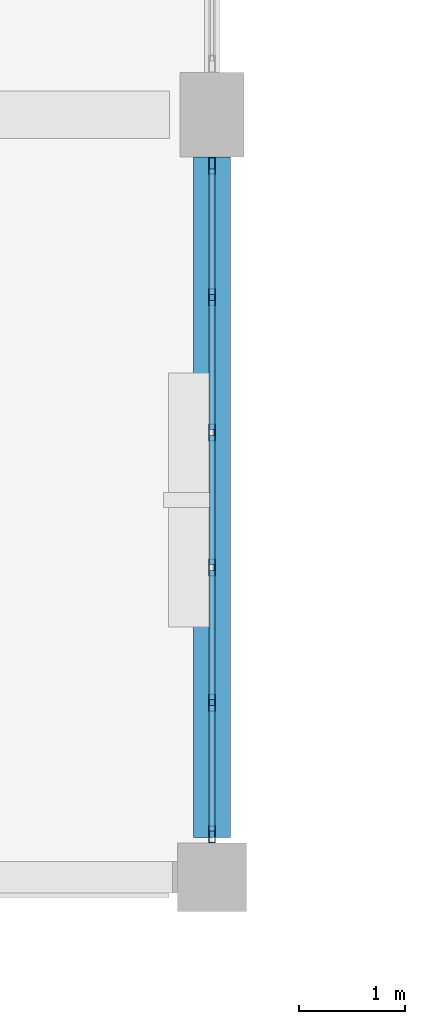
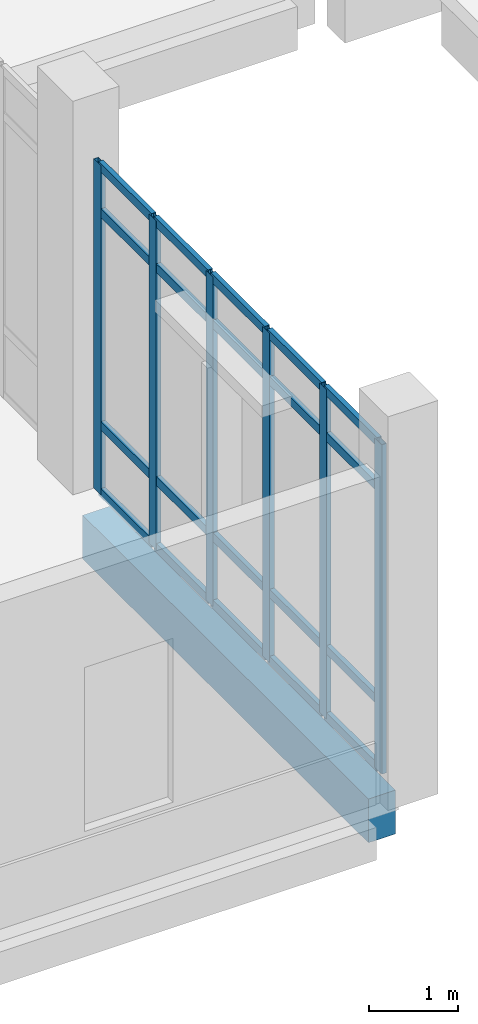
# One storey, part 10 of 110: 26 members, 1 beam, 1 element without a shape of its own.
"""IFC4 building model written with IfcOpenShell, lengths in metres."""

from ifc_helpers import new_model, si_unit, direction, frame, origin, origin_2d, place, context, subcontext, project, spatial, rectangle, hollow_rectangle, extrude, material, material_profile, profile_set, type_object, element, aggregate, save


model = new_model("IFC4")

# Units and contexts
model_context = context("Model", 3, precision=1e-05, world=origin(), true_north=direction((0.0, 1.0)))
body_context = subcontext(model_context, "Body", "Model", "MODEL_VIEW")
ifc_project = project(units=[si_unit("LENGTHUNIT", "METRE"), si_unit("AREAUNIT", "SQUARE_METRE"), si_unit("VOLUMEUNIT", "CUBIC_METRE"), si_unit("PLANEANGLEUNIT", "RADIAN"), si_unit("MASSUNIT", "GRAM", prefix="KILO")], contexts=[model_context])

# Site, building, storey
site_placement = place(None, origin())
site = spatial("IfcSite", under=ifc_project, at=site_placement, CompositionType="ELEMENT")
building_placement = place(site_placement, origin())
building = spatial("IfcBuilding", under=site, at=building_placement, Name="Kalluvel Institute of Natural Sciences", CompositionType="ELEMENT")
storey_placement = place(building_placement, origin())
storey = spatial("IfcBuildingStorey", under=building, at=storey_placement, Name="L00", CompositionType="ELEMENT", Elevation=0.0)

# Beam
ifc_material_1 = material(Name="Concrete M40", Category="concrete")
ifc_material_profile_1 = material_profile(ifc_material_1, rectangle(XDim=0.35009765625, YDim=0.60009765625, at=origin_2d()), Name="RCB 350x600")
ifc_profile_set_1 = profile_set([ifc_material_profile_1], Name="Concrete M40")
beam_type = type_object("IfcBeamType", Name="BM-RC350x600", PredefinedType="BEAM", material=ifc_profile_set_1)
beam_placement = place(storey_placement, frame((35.60009765625, 14.375, -0.6201171875), z_axis=(0.0, 1.0, 0.0), x_axis=(-1.0, 0.0, 0.0)))
element("IfcBeam", 1, at=beam_placement, inside=storey, type_object=beam_type, Name="L00 girder GIR-L00-NS-X356-Y140", PredefinedType="BEAM", context=body_context, shape_type="SweptSolid", body=[
    extrude(rectangle(XDim=0.35009765625, YDim=0.60009765625, at=origin_2d()), origin(), (0.0, 0.0, 1.0), 6.425048828125),
])

# Curtain wall, members
ifc_material_2 = material(Name="Aluminium AW-6063 T6", Category="aluminium")
curtain_wall_type = type_object("IfcCurtainWallType", Name="CW-DRY-54", PredefinedType="USERDEFINED", material=ifc_material_2)
curtain_wall_placement = place(storey_placement, origin())
curtain_wall = element("IfcCurtainWall", 2, at=curtain_wall_placement, inside=storey, type_object=curtain_wall_type, Name="L00 Gothic lancet curtain wall CWA-L00-X356-Y144", ObjectType="UNITISED LANCET FACADE", PredefinedType="USERDEFINED")
ifc_material_profile_2 = material_profile(ifc_material_2, hollow_rectangle(XDim=0.06005859375, YDim=0.159912109375, WallThickness=0.00390625, at=origin_2d()), Name="CWM 60x160")
ifc_profile_set_2 = profile_set([ifc_material_profile_2], Name="Aluminium AW-6063 T6")
member_type_1 = type_object("IfcMemberType", Name="CWM-60x160", PredefinedType="MULLION", material=ifc_profile_set_2)
member_1_placement = place(storey_placement, frame((35.60009765625, 14.405029296875, 0.0), z_axis=(0.0, 0.0, 1.0), x_axis=(-1.0, 0.0, 0.0)))
member_1 = element("IfcMember", 3, at=member_1_placement, type_object=member_type_1, Name="CW-04 mullion 1", PredefinedType="MULLION", context=body_context, shape_type="SweptSolid", body=[
    extrude(hollow_rectangle(XDim=0.06005859375, YDim=0.159912109375, WallThickness=0.00390625, at=origin_2d()), origin(), (0.0, 0.0, 1.0), 4.52001953125),
])
member_2_placement = place(storey_placement, frame((35.60009765625, 15.64990234375, 0.0), z_axis=(0.0, 0.0, 1.0), x_axis=(-1.0, 0.0, 0.0)))
member_2 = element("IfcMember", 4, at=member_2_placement, type_object=member_type_1, Name="CW-04 mullion 2", PredefinedType="MULLION", context=body_context, shape_type="SweptSolid", body=[
    extrude(hollow_rectangle(XDim=0.06005859375, YDim=0.159912109375, WallThickness=0.00390625, at=origin_2d()), origin(), (0.0, 0.0, 1.0), 4.52001953125),
])
member_3_placement = place(storey_placement, frame((35.60009765625, 16.925048828125, 0.0), z_axis=(0.0, 0.0, 1.0), x_axis=(-1.0, 0.0, 0.0)))
member_3 = element("IfcMember", 5, at=member_3_placement, type_object=member_type_1, Name="CW-04 mullion 3", PredefinedType="MULLION", context=body_context, shape_type="SweptSolid", body=[
    extrude(hollow_rectangle(XDim=0.06005859375, YDim=0.159912109375, WallThickness=0.00390625, at=origin_2d()), origin(), (0.0, 0.0, 1.0), 4.52001953125),
])
member_4_placement = place(storey_placement, frame((35.60009765625, 18.199951171875, 0.0), z_axis=(0.0, 0.0, 1.0), x_axis=(-1.0, 0.0, 0.0)))
member_4 = element("IfcMember", 6, at=member_4_placement, type_object=member_type_1, Name="CW-04 mullion 4", PredefinedType="MULLION", context=body_context, shape_type="SweptSolid", body=[
    extrude(hollow_rectangle(XDim=0.06005859375, YDim=0.159912109375, WallThickness=0.00390625, at=origin_2d()), origin(), (0.0, 0.0, 1.0), 4.52001953125),
])
member_5_placement = place(storey_placement, frame((35.60009765625, 19.47509765625, 0.0), z_axis=(0.0, 0.0, 1.0), x_axis=(-1.0, 0.0, 0.0)))
member_5 = element("IfcMember", 7, at=member_5_placement, type_object=member_type_1, Name="CW-04 mullion 5", PredefinedType="MULLION", context=body_context, shape_type="SweptSolid", body=[
    extrude(hollow_rectangle(XDim=0.06005859375, YDim=0.159912109375, WallThickness=0.00390625, at=origin_2d()), origin(), (0.0, 0.0, 1.0), 4.52001953125),
])
member_6_placement = place(storey_placement, frame((35.60009765625, 20.719970703125, 0.0), z_axis=(0.0, 0.0, 1.0), x_axis=(-1.0, 0.0, 0.0)))
member_6 = element("IfcMember", 8, at=member_6_placement, type_object=member_type_1, Name="CW-04 mullion 6", PredefinedType="MULLION", context=body_context, shape_type="SweptSolid", body=[
    extrude(hollow_rectangle(XDim=0.06005859375, YDim=0.159912109375, WallThickness=0.00390625, at=origin_2d()), origin(), (0.0, 0.0, 1.0), 4.52001953125),
])
ifc_material_profile_3 = material_profile(ifc_material_2, hollow_rectangle(XDim=0.06005859375, YDim=0.1201171875, WallThickness=0.00390625, at=origin_2d()), Name="CWT 60x120")
ifc_profile_set_3 = profile_set([ifc_material_profile_3], Name="Aluminium AW-6063 T6")
member_type_2 = type_object("IfcMemberType", Name="CWT-60x120", PredefinedType="USERDEFINED", material=ifc_profile_set_3)
member_7_placement = place(storey_placement, frame((35.60009765625, 14.43505859375, 0.030029296875), z_axis=(0.0, 1.0, 0.0), x_axis=(-1.0, 0.0, 0.0)))
member_7 = element("IfcMember", 9, at=member_7_placement, type_object=member_type_2, Name="CW-04 transom 1.1", ObjectType="TRANSOM", PredefinedType="USERDEFINED", context=body_context, shape_type="SweptSolid", body=[
    extrude(hollow_rectangle(XDim=0.06005859375, YDim=0.1201171875, WallThickness=0.00390625, at=origin_2d()), origin(), (0.0, 0.0, 1.0), 1.18505859375),
])
member_8_placement = place(storey_placement, frame((35.60009765625, 14.43505859375, 0.949951171875), z_axis=(0.0, 1.0, 0.0), x_axis=(-1.0, 0.0, 0.0)))
member_8 = element("IfcMember", 10, at=member_8_placement, type_object=member_type_2, Name="CW-04 transom 1.2", ObjectType="TRANSOM", PredefinedType="USERDEFINED", context=body_context, shape_type="SweptSolid", body=[
    extrude(hollow_rectangle(XDim=0.06005859375, YDim=0.1201171875, WallThickness=0.00390625, at=origin_2d()), origin(), (0.0, 0.0, 1.0), 1.18505859375),
])
member_9_placement = place(storey_placement, frame((35.60009765625, 14.43505859375, 3.8701171875), z_axis=(0.0, 1.0, 0.0), x_axis=(-1.0, 0.0, 0.0)))
member_9 = element("IfcMember", 11, at=member_9_placement, type_object=member_type_2, Name="CW-04 transom 1.3", ObjectType="TRANSOM", PredefinedType="USERDEFINED", context=body_context, shape_type="SweptSolid", body=[
    extrude(hollow_rectangle(XDim=0.06005859375, YDim=0.1201171875, WallThickness=0.00390625, at=origin_2d()), origin(), (0.0, 0.0, 1.0), 1.18505859375),
])
member_10_placement = place(storey_placement, frame((35.60009765625, 14.43505859375, 4.489990234375), z_axis=(0.0, 1.0, 0.0), x_axis=(-1.0, 0.0, 0.0)))
member_10 = element("IfcMember", 12, at=member_10_placement, type_object=member_type_2, Name="CW-04 transom 1.4", ObjectType="TRANSOM", PredefinedType="USERDEFINED", context=body_context, shape_type="SweptSolid", body=[
    extrude(hollow_rectangle(XDim=0.06005859375, YDim=0.1201171875, WallThickness=0.00390625, at=origin_2d()), origin(), (0.0, 0.0, 1.0), 1.18505859375),
])
member_11_placement = place(storey_placement, frame((35.60009765625, 15.679931640625, 0.030029296875), z_axis=(0.0, 1.0, 0.0), x_axis=(-1.0, 0.0, 0.0)))
member_11 = element("IfcMember", 13, at=member_11_placement, type_object=member_type_2, Name="CW-04 transom 2.1", ObjectType="TRANSOM", PredefinedType="USERDEFINED", context=body_context, shape_type="SweptSolid", body=[
    extrude(hollow_rectangle(XDim=0.06005859375, YDim=0.1201171875, WallThickness=0.00390625, at=origin_2d()), origin(), (0.0, 0.0, 1.0), 1.215087890625),
])
member_12_placement = place(storey_placement, frame((35.60009765625, 15.679931640625, 0.949951171875), z_axis=(0.0, 1.0, 0.0), x_axis=(-1.0, 0.0, 0.0)))
member_12 = element("IfcMember", 14, at=member_12_placement, type_object=member_type_2, Name="CW-04 transom 2.2", ObjectType="TRANSOM", PredefinedType="USERDEFINED", context=body_context, shape_type="SweptSolid", body=[
    extrude(hollow_rectangle(XDim=0.06005859375, YDim=0.1201171875, WallThickness=0.00390625, at=origin_2d()), origin(), (0.0, 0.0, 1.0), 1.215087890625),
])
member_13_placement = place(storey_placement, frame((35.60009765625, 15.679931640625, 3.8701171875), z_axis=(0.0, 1.0, 0.0), x_axis=(-1.0, 0.0, 0.0)))
member_13 = element("IfcMember", 15, at=member_13_placement, type_object=member_type_2, Name="CW-04 transom 2.3", ObjectType="TRANSOM", PredefinedType="USERDEFINED", context=body_context, shape_type="SweptSolid", body=[
    extrude(hollow_rectangle(XDim=0.06005859375, YDim=0.1201171875, WallThickness=0.00390625, at=origin_2d()), origin(), (0.0, 0.0, 1.0), 1.215087890625),
])
member_14_placement = place(storey_placement, frame((35.60009765625, 15.679931640625, 4.489990234375), z_axis=(0.0, 1.0, 0.0), x_axis=(-1.0, 0.0, 0.0)))
member_14 = element("IfcMember", 16, at=member_14_placement, type_object=member_type_2, Name="CW-04 transom 2.4", ObjectType="TRANSOM", PredefinedType="USERDEFINED", context=body_context, shape_type="SweptSolid", body=[
    extrude(hollow_rectangle(XDim=0.06005859375, YDim=0.1201171875, WallThickness=0.00390625, at=origin_2d()), origin(), (0.0, 0.0, 1.0), 1.215087890625),
])
member_15_placement = place(storey_placement, frame((35.60009765625, 16.955078125, 0.030029296875), z_axis=(0.0, 1.0, 0.0), x_axis=(-1.0, 0.0, 0.0)))
member_15 = element("IfcMember", 17, at=member_15_placement, type_object=member_type_2, Name="CW-04 transom 3.1", ObjectType="TRANSOM", PredefinedType="USERDEFINED", context=body_context, shape_type="SweptSolid", body=[
    extrude(hollow_rectangle(XDim=0.06005859375, YDim=0.1201171875, WallThickness=0.00390625, at=origin_2d()), origin(), (0.0, 0.0, 1.0), 1.21484375),
])
member_16_placement = place(storey_placement, frame((35.60009765625, 16.955078125, 0.949951171875), z_axis=(0.0, 1.0, 0.0), x_axis=(-1.0, 0.0, 0.0)))
member_16 = element("IfcMember", 18, at=member_16_placement, type_object=member_type_2, Name="CW-04 transom 3.2", ObjectType="TRANSOM", PredefinedType="USERDEFINED", context=body_context, shape_type="SweptSolid", body=[
    extrude(hollow_rectangle(XDim=0.06005859375, YDim=0.1201171875, WallThickness=0.00390625, at=origin_2d()), origin(), (0.0, 0.0, 1.0), 1.21484375),
])
member_17_placement = place(storey_placement, frame((35.60009765625, 16.955078125, 3.8701171875), z_axis=(0.0, 1.0, 0.0), x_axis=(-1.0, 0.0, 0.0)))
member_17 = element("IfcMember", 19, at=member_17_placement, type_object=member_type_2, Name="CW-04 transom 3.3", ObjectType="TRANSOM", PredefinedType="USERDEFINED", context=body_context, shape_type="SweptSolid", body=[
    extrude(hollow_rectangle(XDim=0.06005859375, YDim=0.1201171875, WallThickness=0.00390625, at=origin_2d()), origin(), (0.0, 0.0, 1.0), 1.21484375),
])
member_18_placement = place(storey_placement, frame((35.60009765625, 16.955078125, 4.489990234375), z_axis=(0.0, 1.0, 0.0), x_axis=(-1.0, 0.0, 0.0)))
member_18 = element("IfcMember", 20, at=member_18_placement, type_object=member_type_2, Name="CW-04 transom 3.4", ObjectType="TRANSOM", PredefinedType="USERDEFINED", context=body_context, shape_type="SweptSolid", body=[
    extrude(hollow_rectangle(XDim=0.06005859375, YDim=0.1201171875, WallThickness=0.00390625, at=origin_2d()), origin(), (0.0, 0.0, 1.0), 1.21484375),
])
member_19_placement = place(storey_placement, frame((35.60009765625, 18.22998046875, 0.030029296875), z_axis=(0.0, 1.0, 0.0), x_axis=(-1.0, 0.0, 0.0)))
member_19 = element("IfcMember", 21, at=member_19_placement, type_object=member_type_2, Name="CW-04 transom 4.1", ObjectType="TRANSOM", PredefinedType="USERDEFINED", context=body_context, shape_type="SweptSolid", body=[
    extrude(hollow_rectangle(XDim=0.06005859375, YDim=0.1201171875, WallThickness=0.00390625, at=origin_2d()), origin(), (0.0, 0.0, 1.0), 1.215087890625),
])
member_20_placement = place(storey_placement, frame((35.60009765625, 18.22998046875, 0.949951171875), z_axis=(0.0, 1.0, 0.0), x_axis=(-1.0, 0.0, 0.0)))
member_20 = element("IfcMember", 22, at=member_20_placement, type_object=member_type_2, Name="CW-04 transom 4.2", ObjectType="TRANSOM", PredefinedType="USERDEFINED", context=body_context, shape_type="SweptSolid", body=[
    extrude(hollow_rectangle(XDim=0.06005859375, YDim=0.1201171875, WallThickness=0.00390625, at=origin_2d()), origin(), (0.0, 0.0, 1.0), 1.215087890625),
])
member_21_placement = place(storey_placement, frame((35.60009765625, 18.22998046875, 3.8701171875), z_axis=(0.0, 1.0, 0.0), x_axis=(-1.0, 0.0, 0.0)))
member_21 = element("IfcMember", 23, at=member_21_placement, type_object=member_type_2, Name="CW-04 transom 4.3", ObjectType="TRANSOM", PredefinedType="USERDEFINED", context=body_context, shape_type="SweptSolid", body=[
    extrude(hollow_rectangle(XDim=0.06005859375, YDim=0.1201171875, WallThickness=0.00390625, at=origin_2d()), origin(), (0.0, 0.0, 1.0), 1.215087890625),
])
member_22_placement = place(storey_placement, frame((35.60009765625, 18.22998046875, 4.489990234375), z_axis=(0.0, 1.0, 0.0), x_axis=(-1.0, 0.0, 0.0)))
member_22 = element("IfcMember", 24, at=member_22_placement, type_object=member_type_2, Name="CW-04 transom 4.4", ObjectType="TRANSOM", PredefinedType="USERDEFINED", context=body_context, shape_type="SweptSolid", body=[
    extrude(hollow_rectangle(XDim=0.06005859375, YDim=0.1201171875, WallThickness=0.00390625, at=origin_2d()), origin(), (0.0, 0.0, 1.0), 1.215087890625),
])
member_23_placement = place(storey_placement, frame((35.60009765625, 19.5048828125, 0.030029296875), z_axis=(0.0, 1.0, 0.0), x_axis=(-1.0, 0.0, 0.0)))
member_23 = element("IfcMember", 25, at=member_23_placement, type_object=member_type_2, Name="CW-04 transom 5.1", ObjectType="TRANSOM", PredefinedType="USERDEFINED", context=body_context, shape_type="SweptSolid", body=[
    extrude(hollow_rectangle(XDim=0.06005859375, YDim=0.1201171875, WallThickness=0.00390625, at=origin_2d()), origin(), (0.0, 0.0, 1.0), 1.18505859375),
])
member_24_placement = place(storey_placement, frame((35.60009765625, 19.5048828125, 0.949951171875), z_axis=(0.0, 1.0, 0.0), x_axis=(-1.0, 0.0, 0.0)))
member_24 = element("IfcMember", 26, at=member_24_placement, type_object=member_type_2, Name="CW-04 transom 5.2", ObjectType="TRANSOM", PredefinedType="USERDEFINED", context=body_context, shape_type="SweptSolid", body=[
    extrude(hollow_rectangle(XDim=0.06005859375, YDim=0.1201171875, WallThickness=0.00390625, at=origin_2d()), origin(), (0.0, 0.0, 1.0), 1.18505859375),
])
member_25_placement = place(storey_placement, frame((35.60009765625, 19.5048828125, 3.8701171875), z_axis=(0.0, 1.0, 0.0), x_axis=(-1.0, 0.0, 0.0)))
member_25 = element("IfcMember", 27, at=member_25_placement, type_object=member_type_2, Name="CW-04 transom 5.3", ObjectType="TRANSOM", PredefinedType="USERDEFINED", context=body_context, shape_type="SweptSolid", body=[
    extrude(hollow_rectangle(XDim=0.06005859375, YDim=0.1201171875, WallThickness=0.00390625, at=origin_2d()), origin(), (0.0, 0.0, 1.0), 1.18505859375),
])
member_26_placement = place(storey_placement, frame((35.60009765625, 19.5048828125, 4.489990234375), z_axis=(0.0, 1.0, 0.0), x_axis=(-1.0, 0.0, 0.0)))
member_26 = element("IfcMember", 28, at=member_26_placement, type_object=member_type_2, Name="CW-04 transom 5.4", ObjectType="TRANSOM", PredefinedType="USERDEFINED", context=body_context, shape_type="SweptSolid", body=[
    extrude(hollow_rectangle(XDim=0.06005859375, YDim=0.1201171875, WallThickness=0.00390625, at=origin_2d()), origin(), (0.0, 0.0, 1.0), 1.18505859375),
])
aggregate(curtain_wall, [member_1, member_2, member_3, member_4, member_5, member_6, member_7, member_8, member_9, member_10, member_11, member_12, member_13, member_14, member_15, member_16, member_17, member_18, member_19, member_20, member_21, member_22, member_23, member_24, member_25, member_26])

save(model, "model.ifc")
